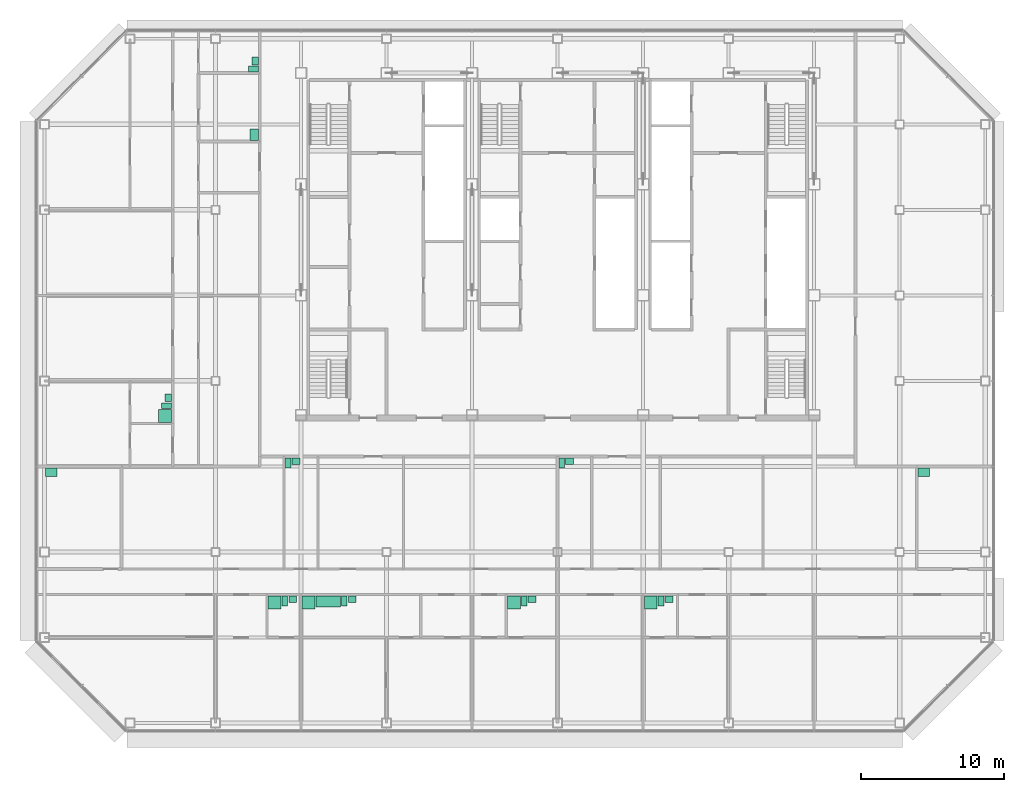
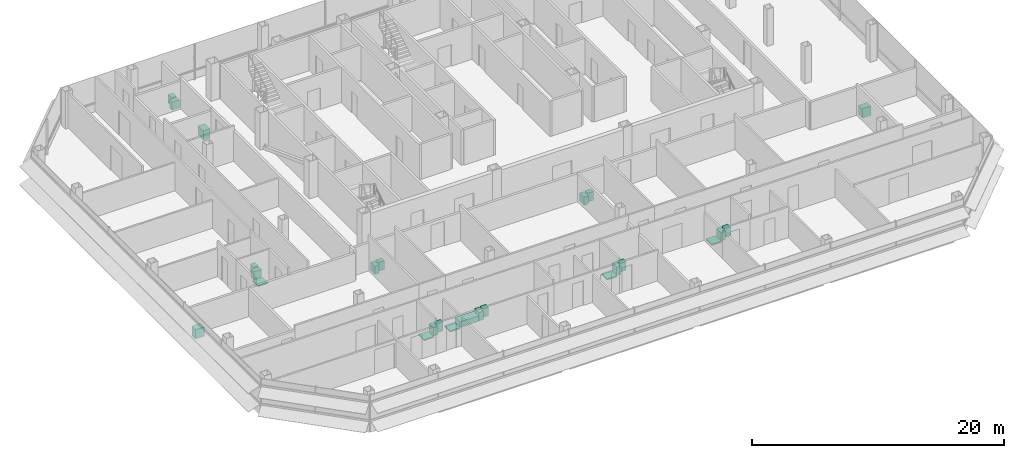
# One storey, part 27 of 27: 25 sanitary terminals.
"""IFC4 building model written with IfcOpenShell, lengths in metres."""

import ifcopenshell
import ifcopenshell.guid

model = None  # the IFC model being written
_history = None  # IfcOwnerHistory: only IFC2X3 demands one
_inside = {}  # id of a spatial element -> (the spatial element, [elements in it])
_under = {}  # id of a project, library or spatial element -> (it, [spatial elements below it])
_declared = {}  # id of a project -> (the project, [libraries it declares])
_typed = {}  # id of a type object -> (the type object, [elements of that type])
_made_of = {}  # id of a material, layer set ... -> (it, [elements and type objects made of it])


def new_model(schema):
    """Start an empty IFC model of exactly this schema.

    Asked for "IFC4X3", IfcOpenShell would pick the latest addendum, in which some entities
    have other attributes; the version numbers below select the first issue.
    IFC2X3 requires an IfcOwnerHistory on every rooted entity: one is made here for all.
    """
    global model, _history
    if schema == "IFC4X3":
        model = ifcopenshell.file(schema_version=(4, 3, 0, 0))
    else:
        model = ifcopenshell.file(schema=schema)
    _inside.clear()
    _under.clear()
    _declared.clear()
    _typed.clear()
    _made_of.clear()
    _history = None
    if model.schema == "IFC2X3":
        org = make("IfcOrganization", Name="unknown")
        user = make(
            "IfcPersonAndOrganization",
            ThePerson=make("IfcPerson", FamilyName="unknown"),
            TheOrganization=org,
        )
        app = make(
            "IfcApplication",
            ApplicationDeveloper=org,
            Version="unknown",
            ApplicationFullName="unknown",
            ApplicationIdentifier="unknown",
        )
        _history = make(
            "IfcOwnerHistory",
            OwningUser=user,
            OwningApplication=app,
            ChangeAction="ADDED",
            CreationDate=0,
        )
    return model


def make(cls, **values):
    """One entity of the class cls with the attributes given. An attribute that is None is left unset."""
    return model.create_entity(
        cls, **{name: value for name, value in values.items() if value is not None}
    )


def rooted(cls, **values):
    """An entity with a GlobalId (a new one), such as an element, a storey or a relation."""
    return make(cls, GlobalId=ifcopenshell.guid.new(), OwnerHistory=_history, **values)


def si_unit(unit_type, name, prefix=None):
    """IfcSIUnit, for example si_unit("LENGTHUNIT", "METRE", prefix="MILLI")."""
    return make("IfcSIUnit", UnitType=unit_type, Prefix=prefix, Name=name)


def assignment(units):
    """IfcUnitAssignment: the units of a project."""
    return None if units is None else make("IfcUnitAssignment", Units=units)


def point(xyz):
    """IfcCartesianPoint."""
    return None if xyz is None else make("IfcCartesianPoint", Coordinates=xyz)


def direction(xyz):
    """IfcDirection."""
    return None if xyz is None else make("IfcDirection", DirectionRatios=xyz)


def frame(location, z_axis=None, x_axis=None):
    """IfcAxis2Placement3D, a coordinate frame: its origin and axes. An axis left out is left unset."""
    return make(
        "IfcAxis2Placement3D",
        Location=point(location),
        Axis=direction(z_axis),
        RefDirection=direction(x_axis),
    )


def frame_2d(location, x_axis=None):
    """IfcAxis2Placement2D, a coordinate frame in the plane: its origin and x axis."""
    return make(
        "IfcAxis2Placement2D", Location=point(location), RefDirection=direction(x_axis)
    )


def origin():
    """The frame at (0, 0, 0) with its axes left unset."""
    return frame((0.0, 0.0, 0.0))


def origin_2d():
    """The frame at (0, 0) in the plane with its x axis left unset."""
    return frame_2d((0.0, 0.0))


def place(relative_to, where):
    """IfcLocalPlacement: puts the frame where relative to a parent placement (None: the world)."""
    return make(
        "IfcLocalPlacement", PlacementRelTo=relative_to, RelativePlacement=where
    )


def context(
    kind, dimensions, precision=None, world=None, true_north=None, identifier=None
):
    """IfcGeometricRepresentationContext, for example the 3D "Model" context."""
    return make(
        "IfcGeometricRepresentationContext",
        ContextIdentifier=identifier,
        ContextType=kind,
        CoordinateSpaceDimension=dimensions,
        Precision=precision,
        WorldCoordinateSystem=world,
        TrueNorth=true_north,
    )


def subcontext(parent, identifier, kind, view, scale=None):
    """IfcGeometricRepresentationSubContext, for example "Body" below "Model"."""
    return make(
        "IfcGeometricRepresentationSubContext",
        ContextIdentifier=identifier,
        ContextType=kind,
        ParentContext=parent,
        TargetScale=scale,
        TargetView=view,
    )


def project(units=None, contexts=None):
    """IfcProject with its units and contexts."""
    return rooted(
        "IfcProject",
        Name="project",
        RepresentationContexts=contexts,
        UnitsInContext=assignment(units),
    )


def spatial(cls, under=None, at=None, **own):
    """A site, building, storey or space (cls), placed at a placement, below another one or the project."""
    s = rooted(cls, ObjectPlacement=at, **own)
    if under is not None:
        _under.setdefault(under.id(), (under, []))[1].append(s)
    return s


def profile(cls, at=None, kind="AREA", **sizes):
    """A parametric profile (cls). Its sizes go by their IFC names, for example OverallWidth=200.0."""
    return make(cls, ProfileType=kind, Position=at, **sizes)


def rectangle(**sizes):
    """IfcRectangleProfileDef."""
    return profile("IfcRectangleProfileDef", **sizes)


def extrude(swept, where, along, depth):
    """IfcExtrudedAreaSolid: the profile swept, set in the frame where, extruded along a direction by depth."""
    return make(
        "IfcExtrudedAreaSolid",
        SweptArea=swept,
        Position=where,
        ExtrudedDirection=direction(along),
        Depth=depth,
    )


def shape(context_of_items, identifier, shape_type, items):
    """IfcShapeRepresentation: the items that make up one representation, for example the "Body"."""
    return make(
        "IfcShapeRepresentation",
        ContextOfItems=context_of_items,
        RepresentationIdentifier=identifier,
        RepresentationType=shape_type,
        Items=items,
    )


def made_of(thing, what):
    """Note that an element or type object is made of a material, layer set ...; save() writes the relation."""
    if what is not None:
        _made_of.setdefault(what.id(), (what, []))[1].append(thing)
    return thing


def element(
    cls,
    number,
    at=None,
    inside=None,
    cuts=None,
    type_object=None,
    material=None,
    context=None,
    identifier="Body",
    shape_type=None,
    held_by="IfcProductDefinitionShape",
    body=None,
    shapes=None,
    **own,
):
    """One element of the class cls, such as IfcWall. Its Tag is "e" and its number.

    at: its placement. inside: the storey or other place that contains it. cuts: it is an
    opening in that element (IfcRelVoidsElement). A single representation is given by context,
    identifier, shape_type and body (its items); several are given by shapes. held_by: the class
    of the entity that holds the representations. save() writes the other relations.
    """
    e = rooted(cls, Tag="e%d" % number, ObjectPlacement=at, **own)
    if body is not None:
        shapes = [shape(context, identifier, shape_type, body)]
    if shapes is not None:
        e.Representation = make(held_by, Representations=shapes)
    if inside is not None:
        _inside.setdefault(inside.id(), (inside, []))[1].append(e)
    if cuts is not None:
        rooted(
            "IfcRelVoidsElement", RelatingBuildingElement=cuts, RelatedOpeningElement=e
        )
    if type_object is not None:
        _typed.setdefault(type_object.id(), (type_object, []))[1].append(e)
    return made_of(e, material)


def aggregate(whole, parts):
    """IfcRelAggregates: a whole, such as a stair, and the parts it consists of."""
    return rooted("IfcRelAggregates", RelatingObject=whole, RelatedObjects=parts)


def save(model, path):
    """Write the relations noted so far, then the file.

    IfcRelAggregates (storeys below a building ...), IfcRelContainedInSpatialStructure (elements
    in a storey), IfcRelDefinesByType, IfcRelAssociatesMaterial and IfcRelDeclares: one each for
    every whole, place, type object, material and project.
    """
    for whole, parts in _under.values():
        aggregate(whole, parts)
    for where, things in _inside.values():
        rooted(
            "IfcRelContainedInSpatialStructure",
            RelatedElements=things,
            RelatingStructure=where,
        )
    for kind, things in _typed.values():
        rooted("IfcRelDefinesByType", RelatedObjects=things, RelatingType=kind)
    for what, things in _made_of.values():
        rooted("IfcRelAssociatesMaterial", RelatedObjects=things, RelatingMaterial=what)
    for by, libraries in _declared.values():
        rooted("IfcRelDeclares", RelatingContext=by, RelatedDefinitions=libraries)
    model.write(path)


model = new_model("IFC4")

# Units and contexts
model_context = context("Model", 3, precision=1e-05, world=origin(), true_north=direction((0.0, 1.0)))
body_context = subcontext(model_context, "Body", "Model", "MODEL_VIEW")
ifc_project = project(units=[si_unit("LENGTHUNIT", "METRE"), si_unit("AREAUNIT", "SQUARE_METRE"), si_unit("VOLUMEUNIT", "CUBIC_METRE"), si_unit("PLANEANGLEUNIT", "RADIAN"), si_unit("MASSUNIT", "GRAM", prefix="KILO")], contexts=[model_context])

# Site, building, storey
site_placement = place(None, origin())
site = spatial("IfcSite", under=ifc_project, at=site_placement, CompositionType="ELEMENT")
building_placement = place(site_placement, origin())
building = spatial("IfcBuilding", under=site, at=building_placement, Name="Sorahane Residences", CompositionType="ELEMENT")
storey_placement = place(building_placement, frame((0.0, 0.0, 226.199951171875)))
storey = spatial("IfcBuildingStorey", under=building, at=storey_placement, Name="L53", CompositionType="ELEMENT", Elevation=226.199951171875)

# Sanitary terminals
sanitary_terminal_1_placement = place(storey_placement, frame((4.1298828125, 8.449951171875, 0.0), z_axis=(0.0, 0.0, 1.0), x_axis=(1.0, 0.0, 0.0)))
element("IfcSanitaryTerminal", 1, at=sanitary_terminal_1_placement, inside=storey, Name="Shower tray En-suite bathroom 53A", PredefinedType="SHOWER", context=body_context, shape_type="SweptSolid", body=[
    extrude(rectangle(XDim=0.89990234375, YDim=0.89990234375, at=origin_2d()), origin(), (0.0, 0.0, 1.0), 0.1201171875),
])
sanitary_terminal_2_placement = place(storey_placement, frame((4.860107421875, 8.550048828125, 0.0), z_axis=(0.0, 0.0, 1.0), x_axis=(1.0, 0.0, 0.0)))
element("IfcSanitaryTerminal", 2, at=sanitary_terminal_2_placement, inside=storey, Name="WC pan En-suite bathroom 53A", PredefinedType="TOILETPAN", context=body_context, shape_type="SweptSolid", body=[
    extrude(rectangle(XDim=0.39990234375, YDim=0.699951171875, at=origin_2d()), origin(), (0.0, 0.0, 1.0), 0.800048828125),
])
sanitary_terminal_3_placement = place(storey_placement, frame((5.4150390625, 8.675048828125, 0.0), z_axis=(0.0, 0.0, 1.0), x_axis=(1.0, 0.0, 0.0)))
element("IfcSanitaryTerminal", 3, at=sanitary_terminal_3_placement, inside=storey, Name="Wash basin En-suite bathroom 53A", PredefinedType="WASHHANDBASIN", context=body_context, shape_type="SweptSolid", body=[
    extrude(rectangle(XDim=0.550048828125, YDim=0.449951171875, at=origin_2d()), origin(), (0.0, 0.0, 1.0), 0.85009765625),
])
sanitary_terminal_4_placement = place(storey_placement, frame((6.530029296875, 8.449951171875, 0.0), z_axis=(0.0, 0.0, 1.0), x_axis=(1.0, 0.0, 0.0)))
element("IfcSanitaryTerminal", 4, at=sanitary_terminal_4_placement, inside=storey, Name="Shower tray En-suite bathroom 53A-2", PredefinedType="SHOWER", context=body_context, shape_type="SweptSolid", body=[
    extrude(rectangle(XDim=0.89990234375, YDim=0.89990234375, at=origin_2d()), origin(), (0.0, 0.0, 1.0), 0.1201171875),
])
sanitary_terminal_5_placement = place(storey_placement, frame((7.909912109375, 8.52490234375, 0.0), z_axis=(0.0, 0.0, 1.0), x_axis=(1.0, 0.0, 0.0)))
element("IfcSanitaryTerminal", 5, at=sanitary_terminal_5_placement, inside=storey, Name="Bath En-suite bathroom 53A-2", PredefinedType="BATH", context=body_context, shape_type="SweptSolid", body=[
    extrude(rectangle(XDim=1.699951171875, YDim=0.75, at=origin_2d()), origin(), (0.0, 0.0, 1.0), 0.56005859375),
])
sanitary_terminal_6_placement = place(storey_placement, frame((9.0400390625, 8.550048828125, 0.0), z_axis=(0.0, 0.0, 1.0), x_axis=(1.0, 0.0, 0.0)))
element("IfcSanitaryTerminal", 6, at=sanitary_terminal_6_placement, inside=storey, Name="WC pan En-suite bathroom 53A-2", PredefinedType="TOILETPAN", context=body_context, shape_type="SweptSolid", body=[
    extrude(rectangle(XDim=0.39990234375, YDim=0.699951171875, at=origin_2d()), origin(), (0.0, 0.0, 1.0), 0.800048828125),
])
sanitary_terminal_7_placement = place(storey_placement, frame((9.594970703125, 8.675048828125, 0.0), z_axis=(0.0, 0.0, 1.0), x_axis=(1.0, 0.0, 0.0)))
element("IfcSanitaryTerminal", 7, at=sanitary_terminal_7_placement, inside=storey, Name="Wash basin En-suite bathroom 53A-2", PredefinedType="WASHHANDBASIN", context=body_context, shape_type="SweptSolid", body=[
    extrude(rectangle(XDim=0.550048828125, YDim=0.449951171875, at=origin_2d()), origin(), (0.0, 0.0, 1.0), 0.85009765625),
])
sanitary_terminal_8_placement = place(storey_placement, frame((20.929931640625, 8.449951171875, 0.0), z_axis=(0.0, 0.0, 1.0), x_axis=(1.0, 0.0, 0.0)))
element("IfcSanitaryTerminal", 8, at=sanitary_terminal_8_placement, inside=storey, Name="Shower tray En-suite bathroom 53A-3", PredefinedType="SHOWER", context=body_context, shape_type="SweptSolid", body=[
    extrude(rectangle(XDim=0.89990234375, YDim=0.89990234375, at=origin_2d()), origin(), (0.0, 0.0, 1.0), 0.1201171875),
])
sanitary_terminal_9_placement = place(storey_placement, frame((21.659912109375, 8.550048828125, 0.0), z_axis=(0.0, 0.0, 1.0), x_axis=(1.0, 0.0, 0.0)))
element("IfcSanitaryTerminal", 9, at=sanitary_terminal_9_placement, inside=storey, Name="WC pan En-suite bathroom 53A-3", PredefinedType="TOILETPAN", context=body_context, shape_type="SweptSolid", body=[
    extrude(rectangle(XDim=0.39990234375, YDim=0.699951171875, at=origin_2d()), origin(), (0.0, 0.0, 1.0), 0.800048828125),
])
sanitary_terminal_10_placement = place(storey_placement, frame((22.215087890625, 8.675048828125, 0.0), z_axis=(0.0, 0.0, 1.0), x_axis=(1.0, 0.0, 0.0)))
element("IfcSanitaryTerminal", 10, at=sanitary_terminal_10_placement, inside=storey, Name="Wash basin En-suite bathroom 53A-3", PredefinedType="WASHHANDBASIN", context=body_context, shape_type="SweptSolid", body=[
    extrude(rectangle(XDim=0.550048828125, YDim=0.449951171875, at=origin_2d()), origin(), (0.0, 0.0, 1.0), 0.85009765625),
])
sanitary_terminal_11_placement = place(storey_placement, frame((-11.52001953125, 17.60009765625, 0.0), z_axis=(0.0, 0.0, 1.0), x_axis=(1.0, 0.0, 0.0)))
element("IfcSanitaryTerminal", 11, at=sanitary_terminal_11_placement, inside=storey, Name="Kitchen sink Kitchen 53A", PredefinedType="SINK", context=body_context, shape_type="SweptSolid", body=[
    extrude(rectangle(XDim=0.800048828125, YDim=0.60009765625, at=origin_2d()), origin(), (0.0, 0.0, 1.0), 0.89990234375),
])
sanitary_terminal_12_placement = place(storey_placement, frame((5.080078125, 18.25, 0.0), z_axis=(0.0, 0.0, 1.0), x_axis=(1.0, 0.0, 0.0)))
element("IfcSanitaryTerminal", 12, at=sanitary_terminal_12_placement, inside=storey, Name="WC pan Powder room 53A", PredefinedType="TOILETPAN", context=body_context, shape_type="SweptSolid", body=[
    extrude(rectangle(XDim=0.39990234375, YDim=0.699951171875, at=origin_2d()), origin(), (0.0, 0.0, 1.0), 0.800048828125),
])
sanitary_terminal_13_placement = place(storey_placement, frame((5.635009765625, 18.375, 0.0), z_axis=(0.0, 0.0, 1.0), x_axis=(1.0, 0.0, 0.0)))
element("IfcSanitaryTerminal", 13, at=sanitary_terminal_13_placement, inside=storey, Name="Wash basin Powder room 53A", PredefinedType="WASHHANDBASIN", context=body_context, shape_type="SweptSolid", body=[
    extrude(rectangle(XDim=0.550048828125, YDim=0.449951171875, at=origin_2d()), origin(), (0.0, 0.0, 1.0), 0.85009765625),
])
sanitary_terminal_14_placement = place(storey_placement, frame((30.530029296875, 8.449951171875, 0.0), z_axis=(0.0, 0.0, 1.0), x_axis=(1.0, 0.0, 0.0)))
element("IfcSanitaryTerminal", 14, at=sanitary_terminal_14_placement, inside=storey, Name="Shower tray En-suite bathroom 53B", PredefinedType="SHOWER", context=body_context, shape_type="SweptSolid", body=[
    extrude(rectangle(XDim=0.89990234375, YDim=0.89990234375, at=origin_2d()), origin(), (0.0, 0.0, 1.0), 0.1201171875),
])
sanitary_terminal_15_placement = place(storey_placement, frame((31.260009765625, 8.550048828125, 0.0), z_axis=(0.0, 0.0, 1.0), x_axis=(1.0, 0.0, 0.0)))
element("IfcSanitaryTerminal", 15, at=sanitary_terminal_15_placement, inside=storey, Name="WC pan En-suite bathroom 53B", PredefinedType="TOILETPAN", context=body_context, shape_type="SweptSolid", body=[
    extrude(rectangle(XDim=0.39990234375, YDim=0.699951171875, at=origin_2d()), origin(), (0.0, 0.0, 1.0), 0.800048828125),
])
sanitary_terminal_16_placement = place(storey_placement, frame((31.81494140625, 8.675048828125, 0.0), z_axis=(0.0, 0.0, 1.0), x_axis=(1.0, 0.0, 0.0)))
element("IfcSanitaryTerminal", 16, at=sanitary_terminal_16_placement, inside=storey, Name="Wash basin En-suite bathroom 53B", PredefinedType="WASHHANDBASIN", context=body_context, shape_type="SweptSolid", body=[
    extrude(rectangle(XDim=0.550048828125, YDim=0.449951171875, at=origin_2d()), origin(), (0.0, 0.0, 1.0), 0.85009765625),
])
sanitary_terminal_17_placement = place(storey_placement, frame((24.280029296875, 18.25, 0.0), z_axis=(0.0, 0.0, 1.0), x_axis=(1.0, 0.0, 0.0)))
element("IfcSanitaryTerminal", 17, at=sanitary_terminal_17_placement, inside=storey, Name="WC pan Guest WC 53B", PredefinedType="TOILETPAN", context=body_context, shape_type="SweptSolid", body=[
    extrude(rectangle(XDim=0.39990234375, YDim=0.699951171875, at=origin_2d()), origin(), (0.0, 0.0, 1.0), 0.800048828125),
])
sanitary_terminal_18_placement = place(storey_placement, frame((24.8349609375, 18.375, 0.0), z_axis=(0.0, 0.0, 1.0), x_axis=(1.0, 0.0, 0.0)))
element("IfcSanitaryTerminal", 18, at=sanitary_terminal_18_placement, inside=storey, Name="Wash basin Guest WC 53B", PredefinedType="WASHHANDBASIN", context=body_context, shape_type="SweptSolid", body=[
    extrude(rectangle(XDim=0.550048828125, YDim=0.449951171875, at=origin_2d()), origin(), (0.0, 0.0, 1.0), 0.85009765625),
])
sanitary_terminal_19_placement = place(storey_placement, frame((49.679931640625, 17.60009765625, 0.0), z_axis=(0.0, 0.0, 1.0), x_axis=(1.0, 0.0, 0.0)))
element("IfcSanitaryTerminal", 19, at=sanitary_terminal_19_placement, inside=storey, Name="Kitchen sink Kitchen 53B", PredefinedType="SINK", context=body_context, shape_type="SweptSolid", body=[
    extrude(rectangle(XDim=0.800048828125, YDim=0.60009765625, at=origin_2d()), origin(), (0.0, 0.0, 1.0), 0.89990234375),
])
sanitary_terminal_20_placement = place(storey_placement, frame((-3.550048828125, 21.530029296875, 0.0), z_axis=(0.0, 0.0, 1.0), x_axis=(0.0, -1.0, 0.0)))
element("IfcSanitaryTerminal", 20, at=sanitary_terminal_20_placement, inside=storey, Name="Shower tray En-suite bathroom 53C", PredefinedType="SHOWER", context=body_context, shape_type="SweptSolid", body=[
    extrude(rectangle(XDim=0.89990234375, YDim=0.89990234375, at=origin_2d()), origin(), (0.0, 0.0, 1.0), 0.1201171875),
])
sanitary_terminal_21_placement = place(storey_placement, frame((-3.449951171875, 22.260009765625, 0.0), z_axis=(0.0, 0.0, 1.0), x_axis=(0.0, -1.0, 0.0)))
element("IfcSanitaryTerminal", 21, at=sanitary_terminal_21_placement, inside=storey, Name="WC pan En-suite bathroom 53C", PredefinedType="TOILETPAN", context=body_context, shape_type="SweptSolid", body=[
    extrude(rectangle(XDim=0.39990234375, YDim=0.699951171875, at=origin_2d()), origin(), (0.0, 0.0, 1.0), 0.800048828125),
])
sanitary_terminal_22_placement = place(storey_placement, frame((-3.324951171875, 22.81494140625, 0.0), z_axis=(0.0, 0.0, 1.0), x_axis=(0.0, -1.0, 0.0)))
element("IfcSanitaryTerminal", 22, at=sanitary_terminal_22_placement, inside=storey, Name="Wash basin En-suite bathroom 53C", PredefinedType="WASHHANDBASIN", context=body_context, shape_type="SweptSolid", body=[
    extrude(rectangle(XDim=0.550048828125, YDim=0.449951171875, at=origin_2d()), origin(), (0.0, 0.0, 1.0), 0.85009765625),
])
sanitary_terminal_23_placement = place(storey_placement, frame((2.699951171875, 41.280029296875, 0.0), z_axis=(0.0, 0.0, 1.0), x_axis=(0.0, -1.0, 0.0)))
element("IfcSanitaryTerminal", 23, at=sanitary_terminal_23_placement, inside=storey, Name="Kitchen sink Kitchen 53C", PredefinedType="SINK", context=body_context, shape_type="SweptSolid", body=[
    extrude(rectangle(XDim=0.800048828125, YDim=0.60009765625, at=origin_2d()), origin(), (0.0, 0.0, 1.0), 0.89990234375),
])
sanitary_terminal_24_placement = place(storey_placement, frame((2.64990234375, 45.8798828125, 0.0), z_axis=(0.0, 0.0, 1.0), x_axis=(0.0, -1.0, 0.0)))
element("IfcSanitaryTerminal", 24, at=sanitary_terminal_24_placement, inside=storey, Name="WC pan Powder room 53C", PredefinedType="TOILETPAN", context=body_context, shape_type="SweptSolid", body=[
    extrude(rectangle(XDim=0.39990234375, YDim=0.699951171875, at=origin_2d()), origin(), (0.0, 0.0, 1.0), 0.800048828125),
])
sanitary_terminal_25_placement = place(storey_placement, frame((2.77490234375, 46.43505859375, 0.0), z_axis=(0.0, 0.0, 1.0), x_axis=(0.0, -1.0, 0.0)))
element("IfcSanitaryTerminal", 25, at=sanitary_terminal_25_placement, inside=storey, Name="Wash basin Powder room 53C", PredefinedType="WASHHANDBASIN", context=body_context, shape_type="SweptSolid", body=[
    extrude(rectangle(XDim=0.550048828125, YDim=0.449951171875, at=origin_2d()), origin(), (0.0, 0.0, 1.0), 0.85009765625),
])

save(model, "model.ifc")
